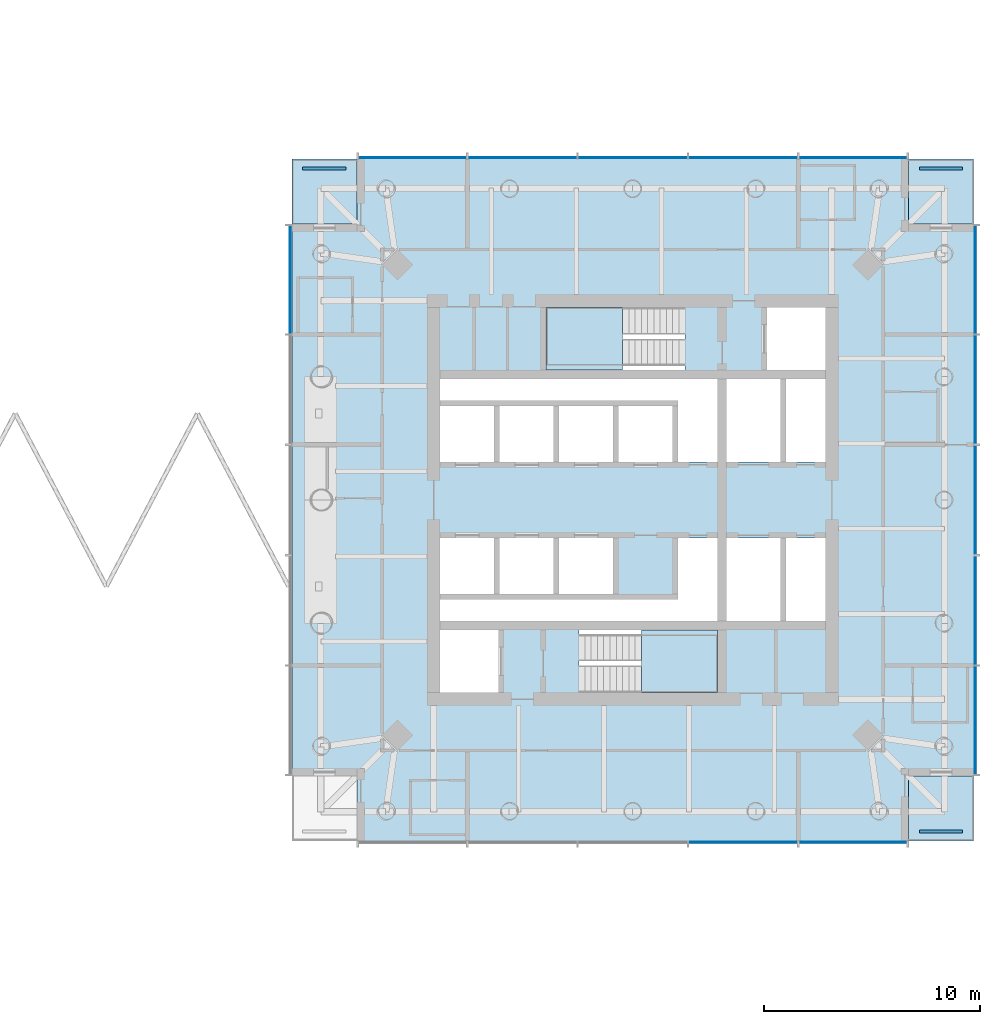
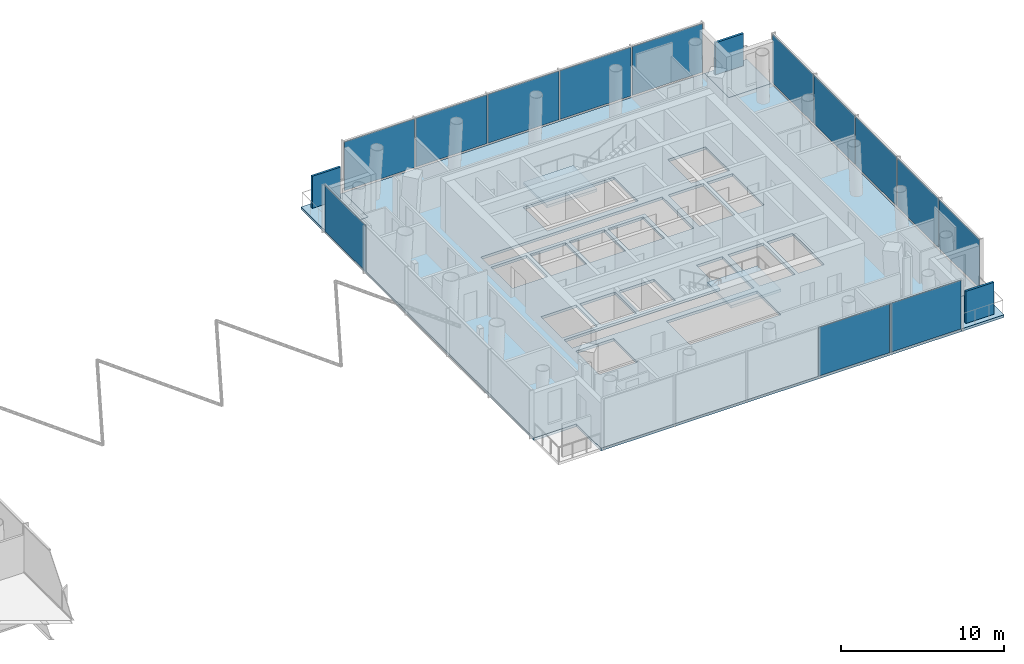
# One storey, part 8 of 19: 16 plates, 6 slabs, 6 elements without a shape of their own.
"""IFC4 building model written with IfcOpenShell, lengths in metres."""

from ifc_helpers import new_model, si_unit, direction, frame, origin, origin_2d, place, context, subcontext, project, spatial, polyline, rectangle, outline, extrude, material, layer, layer_set, type_object, element, aggregate, save


model = new_model("IFC4")

# Units and contexts
model_context = context("Model", 3, precision=1e-05, world=origin(), true_north=direction((0.0, 1.0)))
body_context = subcontext(model_context, "Body", "Model", "MODEL_VIEW")
ifc_project = project(units=[si_unit("LENGTHUNIT", "METRE"), si_unit("AREAUNIT", "SQUARE_METRE"), si_unit("VOLUMEUNIT", "CUBIC_METRE"), si_unit("PLANEANGLEUNIT", "RADIAN"), si_unit("MASSUNIT", "GRAM", prefix="KILO")], contexts=[model_context])

# Site, building, storey
site_placement = place(None, origin())
site = spatial("IfcSite", under=ifc_project, at=site_placement, CompositionType="ELEMENT")
building_placement = place(site_placement, origin())
building = spatial("IfcBuilding", under=site, at=building_placement, Name="Ostroluk Exchange", CompositionType="ELEMENT")
storey_placement = place(building_placement, frame((0.0, 0.0, 127.39990234375)))
storey = spatial("IfcBuildingStorey", under=building, at=storey_placement, Name="L32", CompositionType="ELEMENT", Elevation=127.39990234375)

# Curtain wall, plates
ifc_material_1 = material(Name="Laminated clear glass", Category="glass")
curtain_wall_type = type_object("IfcCurtainWallType", Name="Hotel guest floor facade", PredefinedType="USERDEFINED", material=ifc_material_1)
curtain_wall_1_placement = place(storey_placement, origin())
curtain_wall_1 = element("IfcCurtainWall", 1, at=curtain_wall_1_placement, inside=storey, type_object=curtain_wall_type, Name="Hotel tower south facade L32", ObjectType="UNITISED CURTAIN WALL", PredefinedType="USERDEFINED")
ifc_material_2 = material(Name="Laminated clear glass", Category="glass")
ifc_layer_1 = layer(ifc_material_2, 0.0400390625)
ifc_layer_set_1 = layer_set([ifc_layer_1], Name="Acoustic laminated glazing 40")
plate_type_1 = type_object("IfcPlateType", Name="Acoustic laminated glazing 40", PredefinedType="CURTAIN_PANEL", material=ifc_layer_set_1)
plate_1_placement = place(storey_placement, frame((122.10009765625, 30.175048828125, 0.080078125), z_axis=(0.0, 0.0, 1.0), x_axis=(1.0, 0.0, 0.0)))
plate_1 = element("IfcPlate", 2, at=plate_1_placement, type_object=plate_type_1, Name="CW-H1 panel 4.1", PredefinedType="CURTAIN_PANEL", context=body_context, shape_type="SweptSolid", body=[
    extrude(rectangle(XDim=5.02001953125, YDim=0.0400390625, at=origin_2d()), origin(), (0.0, 0.0, 1.0), 3.639892578125),
])
plate_2_placement = place(storey_placement, frame((127.179931640625, 30.175048828125, 0.080078125), z_axis=(0.0, 0.0, 1.0), x_axis=(1.0, 0.0, 0.0)))
plate_2 = element("IfcPlate", 3, at=plate_2_placement, type_object=plate_type_1, Name="CW-H1 panel 5.1", PredefinedType="CURTAIN_PANEL", context=body_context, shape_type="SweptSolid", body=[
    extrude(rectangle(XDim=4.97998046875, YDim=0.0400390625, at=origin_2d()), origin(), (0.0, 0.0, 1.0), 3.639892578125),
])
aggregate(curtain_wall_1, [plate_1, plate_2])

curtain_wall_2_placement = place(storey_placement, origin())
curtain_wall_2 = element("IfcCurtainWall", 4, at=curtain_wall_2_placement, inside=storey, type_object=curtain_wall_type, Name="Hotel tower east facade L32", ObjectType="UNITISED CURTAIN WALL", PredefinedType="USERDEFINED")
plate_3_placement = place(storey_placement, frame((132.824951171875, 35.820068359375, 0.080078125), z_axis=(0.0, 0.0, 1.0), x_axis=(0.0, 1.0, 0.0)))
plate_3 = element("IfcPlate", 5, at=plate_3_placement, type_object=plate_type_1, Name="CW-H1 panel 1.1", PredefinedType="CURTAIN_PANEL", context=body_context, shape_type="SweptSolid", body=[
    extrude(rectangle(XDim=4.97998046875, YDim=0.0400390625, at=origin_2d()), origin(), (0.0, 0.0, 1.0), 3.639892578125),
])
plate_4_placement = place(storey_placement, frame((132.824951171875, 40.89990234375, 0.080078125), z_axis=(0.0, 0.0, 1.0), x_axis=(0.0, 1.0, 0.0)))
plate_4 = element("IfcPlate", 6, at=plate_4_placement, type_object=plate_type_1, Name="CW-H1 panel 2.1", PredefinedType="CURTAIN_PANEL", context=body_context, shape_type="SweptSolid", body=[
    extrude(rectangle(XDim=5.02001953125, YDim=0.0400390625, at=origin_2d()), origin(), (0.0, 0.0, 1.0), 3.639892578125),
])
plate_5_placement = place(storey_placement, frame((132.824951171875, 46.0, 0.080078125), z_axis=(0.0, 0.0, 1.0), x_axis=(0.0, 1.0, 0.0)))
plate_5 = element("IfcPlate", 7, at=plate_5_placement, type_object=plate_type_1, Name="CW-H1 panel 3.1", PredefinedType="CURTAIN_PANEL", context=body_context, shape_type="SweptSolid", body=[
    extrude(rectangle(XDim=5.02001953125, YDim=0.0400390625, at=origin_2d()), origin(), (0.0, 0.0, 1.0), 3.639892578125),
])
plate_6_placement = place(storey_placement, frame((132.824951171875, 51.10009765625, 0.080078125), z_axis=(0.0, 0.0, 1.0), x_axis=(0.0, 1.0, 0.0)))
plate_6 = element("IfcPlate", 8, at=plate_6_placement, type_object=plate_type_1, Name="CW-H1 panel 4.1", PredefinedType="CURTAIN_PANEL", context=body_context, shape_type="SweptSolid", body=[
    extrude(rectangle(XDim=5.02001953125, YDim=0.0400390625, at=origin_2d()), origin(), (0.0, 0.0, 1.0), 3.639892578125),
])
plate_7_placement = place(storey_placement, frame((132.824951171875, 56.179931640625, 0.080078125), z_axis=(0.0, 0.0, 1.0), x_axis=(0.0, 1.0, 0.0)))
plate_7 = element("IfcPlate", 9, at=plate_7_placement, type_object=plate_type_1, Name="CW-H1 panel 5.1", PredefinedType="CURTAIN_PANEL", context=body_context, shape_type="SweptSolid", body=[
    extrude(rectangle(XDim=4.97998046875, YDim=0.0400390625, at=origin_2d()), origin(), (0.0, 0.0, 1.0), 3.639892578125),
])
aggregate(curtain_wall_2, [plate_3, plate_4, plate_5, plate_6, plate_7])

curtain_wall_3_placement = place(storey_placement, origin())
curtain_wall_3 = element("IfcCurtainWall", 10, at=curtain_wall_3_placement, inside=storey, type_object=curtain_wall_type, Name="Hotel tower north facade L32", ObjectType="UNITISED CURTAIN WALL", PredefinedType="USERDEFINED")
plate_8_placement = place(storey_placement, frame((127.179931640625, 61.824951171875, 0.080078125), z_axis=(0.0, 0.0, 1.0), x_axis=(-1.0, 0.0, 0.0)))
plate_8 = element("IfcPlate", 11, at=plate_8_placement, type_object=plate_type_1, Name="CW-H1 panel 1.1", PredefinedType="CURTAIN_PANEL", context=body_context, shape_type="SweptSolid", body=[
    extrude(rectangle(XDim=4.97998046875, YDim=0.0400390625, at=origin_2d()), origin(), (0.0, 0.0, 1.0), 3.639892578125),
])
plate_9_placement = place(storey_placement, frame((122.10009765625, 61.824951171875, 0.080078125), z_axis=(0.0, 0.0, 1.0), x_axis=(-1.0, 0.0, 0.0)))
plate_9 = element("IfcPlate", 12, at=plate_9_placement, type_object=plate_type_1, Name="CW-H1 panel 2.1", PredefinedType="CURTAIN_PANEL", context=body_context, shape_type="SweptSolid", body=[
    extrude(rectangle(XDim=5.02001953125, YDim=0.0400390625, at=origin_2d()), origin(), (0.0, 0.0, 1.0), 3.639892578125),
])
plate_10_placement = place(storey_placement, frame((117.0, 61.824951171875, 0.080078125), z_axis=(0.0, 0.0, 1.0), x_axis=(-1.0, 0.0, 0.0)))
plate_10 = element("IfcPlate", 13, at=plate_10_placement, type_object=plate_type_1, Name="CW-H1 panel 3.1", PredefinedType="CURTAIN_PANEL", context=body_context, shape_type="SweptSolid", body=[
    extrude(rectangle(XDim=5.02001953125, YDim=0.0400390625, at=origin_2d()), origin(), (0.0, 0.0, 1.0), 3.639892578125),
])
plate_11_placement = place(storey_placement, frame((111.89990234375, 61.824951171875, 0.080078125), z_axis=(0.0, 0.0, 1.0), x_axis=(-1.0, 0.0, 0.0)))
plate_11 = element("IfcPlate", 14, at=plate_11_placement, type_object=plate_type_1, Name="CW-H1 panel 4.1", PredefinedType="CURTAIN_PANEL", context=body_context, shape_type="SweptSolid", body=[
    extrude(rectangle(XDim=5.02001953125, YDim=0.0400390625, at=origin_2d()), origin(), (0.0, 0.0, 1.0), 3.639892578125),
])
plate_12_placement = place(storey_placement, frame((106.820068359375, 61.824951171875, 0.080078125), z_axis=(0.0, 0.0, 1.0), x_axis=(-1.0, 0.0, 0.0)))
plate_12 = element("IfcPlate", 15, at=plate_12_placement, type_object=plate_type_1, Name="CW-H1 panel 5.1", PredefinedType="CURTAIN_PANEL", context=body_context, shape_type="SweptSolid", body=[
    extrude(rectangle(XDim=4.97998046875, YDim=0.0400390625, at=origin_2d()), origin(), (0.0, 0.0, 1.0), 3.639892578125),
])
aggregate(curtain_wall_3, [plate_8, plate_9, plate_10, plate_11, plate_12])

# Curtain wall, plate
curtain_wall_4_placement = place(storey_placement, origin())
curtain_wall_4 = element("IfcCurtainWall", 16, at=curtain_wall_4_placement, inside=storey, type_object=curtain_wall_type, Name="Hotel tower west facade L32", ObjectType="UNITISED CURTAIN WALL", PredefinedType="USERDEFINED")
plate_13_placement = place(storey_placement, frame((101.175048828125, 56.179931640625, 0.080078125), z_axis=(0.0, 0.0, 1.0), x_axis=(0.0, -1.0, 0.0)))
plate_13 = element("IfcPlate", 17, at=plate_13_placement, type_object=plate_type_1, Name="CW-H1 panel 1.1", PredefinedType="CURTAIN_PANEL", context=body_context, shape_type="SweptSolid", body=[
    extrude(rectangle(XDim=4.97998046875, YDim=0.0400390625, at=origin_2d()), origin(), (0.0, 0.0, 1.0), 3.43994140625),
])
aggregate(curtain_wall_4, [plate_13])

# Slabs
ifc_material_3 = material(Name="Concrete C35/45", Category="concrete")
ifc_layer_2 = layer(ifc_material_3, 0.199951171875)
ifc_layer_set_2 = layer_set([ifc_layer_2], Name="Balcony slab 200")
slab_type_1 = type_object("IfcSlabType", Name="Balcony slab 200", PredefinedType="USERDEFINED", material=ifc_layer_set_2)
slab_1_placement = place(storey_placement, frame((0.0, 0.0, -0.199951171875)))
element("IfcSlab", 18, at=slab_1_placement, inside=storey, type_object=slab_type_1, Name="Hotel tower SE corner balcony L32", ObjectType="BALCONY", PredefinedType="USERDEFINED", context=body_context, shape_type="SweptSolid", body=[
    extrude(outline(polyline([(129.75, 30.25), (132.75, 30.25), (132.75, 33.25), (129.75, 33.25), (129.75, 30.25)])), origin(), (0.0, 0.0, 1.0), 0.199951171875),
])
slab_2_placement = place(storey_placement, frame((0.0, 0.0, -0.199951171875)))
element("IfcSlab", 19, at=slab_2_placement, inside=storey, type_object=slab_type_1, Name="Hotel tower NE corner balcony L32", ObjectType="BALCONY", PredefinedType="USERDEFINED", context=body_context, shape_type="SweptSolid", body=[
    extrude(outline(polyline([(129.75, 58.75), (132.75, 58.75), (132.75, 61.75), (129.75, 61.75), (129.75, 58.75)])), origin(), (0.0, 0.0, 1.0), 0.199951171875),
])
slab_3_placement = place(storey_placement, frame((0.0, 0.0, -0.199951171875)))
element("IfcSlab", 20, at=slab_3_placement, inside=storey, type_object=slab_type_1, Name="Hotel tower NW corner balcony L32", ObjectType="BALCONY", PredefinedType="USERDEFINED", context=body_context, shape_type="SweptSolid", body=[
    extrude(outline(polyline([(101.25, 58.75), (104.25, 58.75), (104.25, 61.75), (101.25, 61.75), (101.25, 58.75)])), origin(), (0.0, 0.0, 1.0), 0.199951171875),
])

# Plates
ifc_material_4 = material(Name="Steel S355 trellis with planting", Category="steel")
ifc_layer_3 = layer(ifc_material_4, 0.14990234375)
ifc_layer_set_3 = layer_set([ifc_layer_3], Name="Planted screen 150")
plate_type_2 = type_object("IfcPlateType", Name="Planted screen 150", PredefinedType="USERDEFINED", material=ifc_layer_set_3)
for number, where, z_axis, x_axis, name in (
    (21, (131.25, 30.675048828125, 0.000244140625), (0.0, 0.0, 1.0), (1.0, 0.0, 0.0), "Hotel tower SE planted screen L32"),
    (22, (131.25, 61.324951171875, 0.000244140625), (0.0, 0.0, 1.0), (1.0, 0.0, 0.0), "Hotel tower NE planted screen L32"),
    (23, (102.75, 61.324951171875, 0.000244140625), (0.0, 0.0, 1.0), (1.0, 0.0, 0.0), "Hotel tower NW planted screen L32"),
):
    element("IfcPlate", number, at=place(storey_placement, frame(where, z_axis=z_axis, x_axis=x_axis)), inside=storey, type_object=plate_type_2, Name=name, ObjectType="PLANTED SCREEN", PredefinedType="USERDEFINED", context=body_context, shape_type="SweptSolid", body=[
        extrude(rectangle(XDim=2.0, YDim=0.14990234375, at=origin_2d()), origin(), (0.0, 0.0, 1.0), 2.39990234375),
    ])

# Stair, slab
ifc_material_5 = material(Name="Concrete C30/37", Category="concrete")
stair_type = type_object("IfcStairType", Name="Exit stair half turn 3800", PredefinedType="HALF_TURN_STAIR", material=ifc_material_5)
stair_1_placement = place(storey_placement, origin())
stair_1 = element("IfcStair", 24, at=stair_1_placement, inside=storey, type_object=stair_type, Name="Stair T2-S1 L32", PredefinedType="HALF_TURN_STAIR")
ifc_material_6 = material(Name="Concrete C30/37", Category="concrete")
ifc_layer_4 = layer(ifc_material_6, 0.199951171875)
ifc_layer_set_4 = layer_set([ifc_layer_4], Name="Stair landing 200")
slab_type_2 = type_object("IfcSlabType", Name="Stair landing 200", PredefinedType="LANDING", material=ifc_layer_set_4)
slab_4_placement = place(storey_placement, frame((0.0, 0.0, 1.7001953125)))
slab_4 = element("IfcSlab", 25, at=slab_4_placement, type_object=slab_type_2, Name="T2-S1 landing 1", PredefinedType="LANDING", context=body_context, shape_type="SweptSolid", body=[
    extrude(outline(polyline([(117.39990234375, 37.10009765625), (117.39990234375, 40.0), (120.929931640625, 40.0), (120.929931640625, 37.10009765625), (117.39990234375, 37.10009765625)])), origin(), (0.0, 0.0, 1.0), 0.199951171875),
])
aggregate(stair_1, [slab_4])

stair_2_placement = place(storey_placement, origin())
stair_2 = element("IfcStair", 26, at=stair_2_placement, inside=storey, type_object=stair_type, Name="Stair T2-S2 L32", PredefinedType="HALF_TURN_STAIR")
slab_5_placement = place(storey_placement, frame((0.0, 0.0, 1.7001953125)))
slab_5 = element("IfcSlab", 27, at=slab_5_placement, type_object=slab_type_2, Name="T2-S2 landing 1", PredefinedType="LANDING", context=body_context, shape_type="SweptSolid", body=[
    extrude(outline(polyline([(116.530029296875, 52.0), (116.530029296875, 54.89990234375), (113.0, 54.89990234375), (113.0, 52.0), (116.530029296875, 52.0)])), origin(), (0.0, 0.0, 1.0), 0.199951171875),
])
aggregate(stair_2, [slab_5])

# Slab
ifc_material_7 = material(Name="Concrete C35/45", Category="concrete")
ifc_layer_5 = layer(ifc_material_7, 0.199951171875)
ifc_layer_set_5 = layer_set([ifc_layer_5], Name="Tower floor slab 200 composite")
slab_type_3 = type_object("IfcSlabType", Name="Tower floor slab 200 composite", PredefinedType="FLOOR", material=ifc_layer_set_5)
slab_6_placement = place(storey_placement, frame((0.0, 0.0, -0.199951171875)))
element("IfcSlab", 28, at=slab_6_placement, inside=storey, type_object=slab_type_3, Name="Hotel tower floor slab L32", PredefinedType="FLOOR", context=body_context, shape_type="SweptSolid", body=[
    extrude(outline(polyline([(104.25, 30.25), (129.75, 30.25), (129.75, 33.25), (132.75, 33.25), (132.75, 58.75), (129.75, 58.75), (129.75, 61.75), (104.25, 61.75), (104.25, 58.75), (101.25, 58.75), (101.25, 33.25), (104.25, 33.25), (104.25, 30.25)]), holes=[polyline([(108.10009765625, 37.10009765625), (110.800048828125, 37.10009765625), (110.800048828125, 40.0), (108.10009765625, 40.0), (108.10009765625, 37.10009765625)]), polyline([(114.510009765625, 37.10009765625), (120.929931640625, 37.10009765625), (120.929931640625, 40.0), (114.510009765625, 40.0), (114.510009765625, 37.10009765625)]), polyline([(113.0, 52.0), (119.419921875, 52.0), (119.419921875, 54.89990234375), (113.0, 54.89990234375), (113.0, 52.0)]), polyline([(123.199951171875, 52.0), (125.89990234375, 52.0), (125.89990234375, 54.89990234375), (123.199951171875, 54.89990234375), (123.199951171875, 52.0)]), polyline([(108.10009765625, 47.75), (110.60009765625, 47.75), (110.60009765625, 50.35009765625), (108.10009765625, 50.35009765625), (108.10009765625, 47.75)]), polyline([(110.85009765625, 47.75), (113.35009765625, 47.75), (113.35009765625, 50.35009765625), (110.85009765625, 50.35009765625), (110.85009765625, 47.75)]), polyline([(113.60009765625, 47.75), (116.10009765625, 47.75), (116.10009765625, 50.35009765625), (113.60009765625, 50.35009765625), (113.60009765625, 47.75)]), polyline([(116.35009765625, 47.75), (118.85009765625, 47.75), (118.85009765625, 50.35009765625), (116.35009765625, 50.35009765625), (116.35009765625, 47.75)]), polyline([(108.10009765625, 41.64990234375), (110.60009765625, 41.64990234375), (110.60009765625, 44.25), (108.10009765625, 44.25), (108.10009765625, 41.64990234375)]), polyline([(110.85009765625, 41.64990234375), (113.35009765625, 41.64990234375), (113.35009765625, 44.25), (110.85009765625, 44.25), (110.85009765625, 41.64990234375)]), polyline([(113.60009765625, 41.64990234375), (116.10009765625, 41.64990234375), (116.10009765625, 44.25), (113.60009765625, 44.25), (113.60009765625, 41.64990234375)]), polyline([(121.330078125, 47.75), (123.830078125, 47.75), (123.830078125, 51.60009765625), (121.330078125, 51.60009765625), (121.330078125, 47.75)]), polyline([(121.330078125, 40.39990234375), (123.830078125, 40.39990234375), (123.830078125, 44.25), (121.330078125, 44.25), (121.330078125, 40.39990234375)]), polyline([(120.929931640625, 51.60009765625), (120.929931640625, 47.75), (119.10009765625, 47.75), (119.10009765625, 50.60009765625), (108.10009765625, 50.60009765625), (108.10009765625, 51.60009765625), (120.929931640625, 51.60009765625)]), polyline([(108.10009765625, 40.39990234375), (108.10009765625, 41.39990234375), (119.10009765625, 41.39990234375), (119.10009765625, 44.25), (120.929931640625, 44.25), (120.929931640625, 40.39990234375), (108.10009765625, 40.39990234375)]), polyline([(124.080078125, 47.75), (125.89990234375, 47.75), (125.89990234375, 51.60009765625), (124.080078125, 51.60009765625), (124.080078125, 47.75)]), polyline([(124.080078125, 40.39990234375), (125.89990234375, 40.39990234375), (125.89990234375, 44.25), (124.080078125, 44.25), (124.080078125, 40.39990234375)])]), origin(), (0.0, 0.0, 1.0), 0.199951171875),
])

save(model, "model.ifc")
